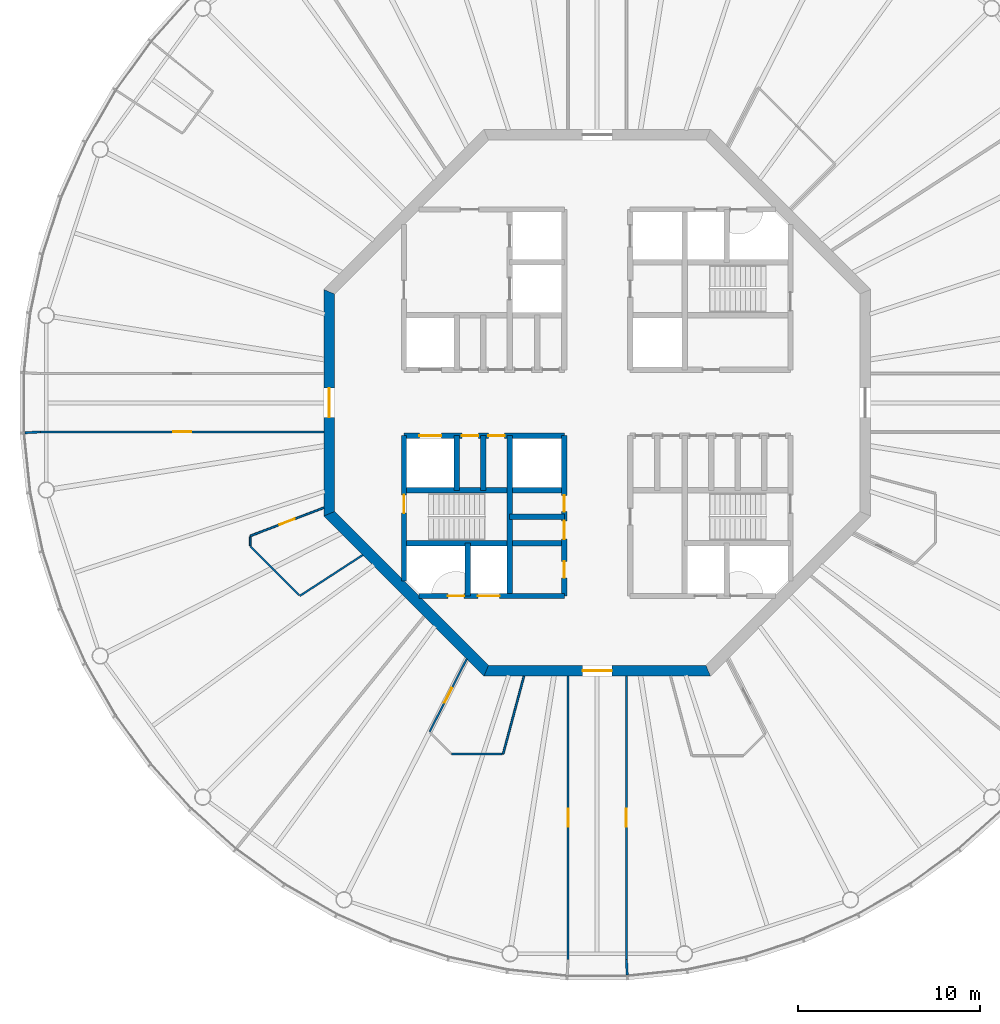
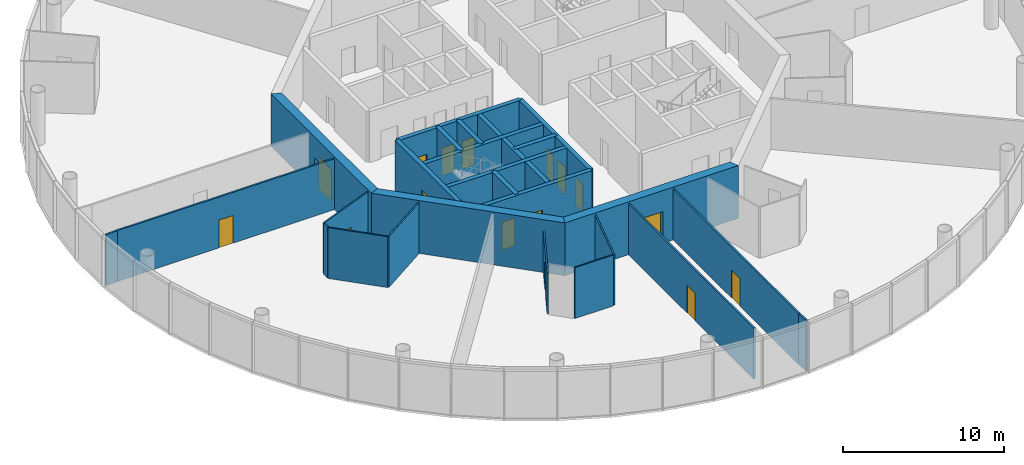
# One storey, part 3 of 13: 26 walls, 16 doors, 16 openings.
"""IFC4 building model written with IfcOpenShell, lengths in metres."""

from ifc_helpers import new_model, si_unit, direction, frame, frame_2d, origin, place, context, subcontext, project, spatial, polyline, rectangle, outline, extrude, material, layer, layer_set, type_object, element, fill, save


model = new_model("IFC4")

# Units and contexts
model_context = context("Model", 3, precision=1e-05, world=origin(), true_north=direction((0.0, 1.0)))
body_context = subcontext(model_context, "Body", "Model", "MODEL_VIEW")
ifc_project = project(units=[si_unit("LENGTHUNIT", "METRE"), si_unit("AREAUNIT", "SQUARE_METRE"), si_unit("VOLUMEUNIT", "CUBIC_METRE"), si_unit("PLANEANGLEUNIT", "RADIAN"), si_unit("MASSUNIT", "GRAM", prefix="KILO")], contexts=[model_context])

# Site, building, storey
site_placement = place(None, origin())
site = spatial("IfcSite", under=ifc_project, at=site_placement, CompositionType="ELEMENT")
building_placement = place(site_placement, origin())
building = spatial("IfcBuilding", under=site, at=building_placement, Name="Entoto Ring Tower", CompositionType="ELEMENT")
storey_placement = place(building_placement, frame((0.0, 0.0, 364.0)))
storey = spatial("IfcBuildingStorey", under=building, at=storey_placement, Name="L84", CompositionType="ELEMENT", Elevation=364.0)

# Wall, openings, doors
ifc_material_1 = material(Name="Concrete C40/50", Category="concrete")
ifc_layer_1 = layer(ifc_material_1, 0.300048828125)
ifc_layer_set_1 = layer_set([ifc_layer_1], Name="Concrete C40/50")
wall_type_1 = type_object("IfcWallType", Name="Core enclosure wall 300 mm reinforced concrete", PredefinedType="SOLIDWALL", material=ifc_layer_set_1)
wall_1_placement = place(storey_placement, frame((88.199951171875, 69.39990234375, 0.0), z_axis=(0.0, 0.0, 1.0), x_axis=(0.0, 1.0, 0.0)))
wall_1 = element("IfcWall", 1, at=wall_1_placement, inside=storey, type_object=wall_type_1, Name="wall-L84-013", PredefinedType="SOLIDWALL", context=body_context, shape_type="SweptSolid", body=[
    extrude(rectangle(XDim=8.800048828125, YDim=0.300048828125, at=frame_2d((4.39990234375, 0.0))), origin(), (0.0, 0.0, 1.0), 3.85009765625),
])
opening_1_placement = place(wall_1_placement, frame((3.125, 0.0, 0.0)))
opening_1 = element("IfcOpeningElement", 2, at=opening_1_placement, cuts=wall_1, Name="Opening K-70", PredefinedType="OPENING", context=body_context, shape_type="SweptSolid", body=[
    extrude(rectangle(XDim=1.0, YDim=2.10009765625, at=frame_2d((0.5, 1.050048828125))), frame((0.0, 0.16015625, 0.0), z_axis=(0.0, -1.0, 0.0), x_axis=(1.0, 0.0, 0.0)), (0.0, 0.0, 1.0), 0.320068359375),
])
opening_2_placement = place(wall_1_placement, frame((4.625, 0.0, 0.0)))
opening_2 = element("IfcOpeningElement", 3, at=opening_2_placement, cuts=wall_1, Name="Opening K-71", PredefinedType="OPENING", context=body_context, shape_type="SweptSolid", body=[
    extrude(rectangle(XDim=0.89990234375, YDim=2.10009765625, at=frame_2d((0.449951171875, 1.050048828125))), frame((0.0, 0.16015625, 0.0), z_axis=(0.0, -1.0, 0.0), x_axis=(1.0, 0.0, 0.0)), (0.0, 0.0, 1.0), 0.320068359375),
])
opening_3_placement = place(wall_1_placement, frame((1.0, 0.0, 0.0)))
opening_3 = element("IfcOpeningElement", 4, at=opening_3_placement, cuts=wall_1, Name="Opening K-24", PredefinedType="OPENING", context=body_context, shape_type="SweptSolid", body=[
    extrude(rectangle(XDim=0.89990234375, YDim=2.10009765625, at=frame_2d((0.449951171875, 1.050048828125))), frame((0.0, 0.16015625, 0.0), z_axis=(0.0, -1.0, 0.0), x_axis=(1.0, 0.0, 0.0)), (0.0, 0.0, 1.0), 0.320068359375),
])
ifc_material_2 = material(Name="Steel door leaf, fire rated", Category="steel")
ifc_layer_2 = layer(ifc_material_2, 0.050048828125)
ifc_layer_set_2 = layer_set([ifc_layer_2], Name="Steel door leaf, fire rated")
door_type_1 = type_object("IfcDoorType", Name="Accessible door 1000 x 2100 single leaf", OperationType="NOTDEFINED", PredefinedType="DOOR", material=ifc_layer_set_2)
door_1_placement = place(opening_1_placement, origin())
door_1 = element("IfcDoor", 5, at=door_1_placement, inside=storey, type_object=door_type_1, Name="Door K-70", OperationType="SINGLE_SWING_RIGHT", OverallHeight=2.10009765625, OverallWidth=1.0, PredefinedType="DOOR", context=body_context, shape_type="SweptSolid", body=[
    extrude(rectangle(XDim=1.0, YDim=2.10009765625, at=frame_2d((0.5, 1.050048828125))), frame((0.0, 0.02490234375, 0.0), z_axis=(0.0, -1.0, 0.0), x_axis=(1.0, 0.0, 0.0)), (0.0, 0.0, 1.0), 0.050048828125),
])
fill(opening_1, door_1)
ifc_material_3 = material(Name="Steel door leaf, fire rated", Category="steel")
ifc_layer_3 = layer(ifc_material_3, 0.050048828125)
ifc_layer_set_3 = layer_set([ifc_layer_3], Name="Steel door leaf, fire rated")
door_type_2 = type_object("IfcDoorType", Name="Core door 900 x 2100 single leaf", OperationType="NOTDEFINED", PredefinedType="DOOR", material=ifc_layer_set_3)
door_2_placement = place(opening_2_placement, origin())
door_2 = element("IfcDoor", 6, at=door_2_placement, inside=storey, type_object=door_type_2, Name="Door K-71", OperationType="SINGLE_SWING_RIGHT", OverallHeight=2.10009765625, OverallWidth=0.89990234375, PredefinedType="DOOR", context=body_context, shape_type="SweptSolid", body=[
    extrude(rectangle(XDim=0.89990234375, YDim=2.10009765625, at=frame_2d((0.449951171875, 1.050048828125))), frame((0.0, 0.02490234375, 0.0), z_axis=(0.0, -1.0, 0.0), x_axis=(1.0, 0.0, 0.0)), (0.0, 0.0, 1.0), 0.050048828125),
])
fill(opening_2, door_2)
door_3_placement = place(opening_3_placement, origin())
door_3 = element("IfcDoor", 7, at=door_3_placement, inside=storey, type_object=door_type_2, Name="Door K-24", OperationType="SINGLE_SWING_RIGHT", OverallHeight=2.10009765625, OverallWidth=0.89990234375, PredefinedType="DOOR", context=body_context, shape_type="SweptSolid", body=[
    extrude(rectangle(XDim=0.89990234375, YDim=2.10009765625, at=frame_2d((0.449951171875, 1.050048828125))), frame((0.0, 0.02490234375, 0.0), z_axis=(0.0, -1.0, 0.0), x_axis=(1.0, 0.0, 0.0)), (0.0, 0.0, 1.0), 0.050048828125),
])
fill(opening_3, door_3)

# Walls
wall_2_placement = place(storey_placement, frame((85.199951171875, 69.39990234375, 0.0), z_axis=(0.0, 0.0, 1.0), x_axis=(0.0, 1.0, 0.0)))
element("IfcWall", 8, at=wall_2_placement, inside=storey, type_object=wall_type_1, Name="wall-L84-016", PredefinedType="SOLIDWALL", context=body_context, shape_type="SweptSolid", body=[
    extrude(rectangle(XDim=8.800048828125, YDim=0.300048828125, at=frame_2d((4.39990234375, 0.0))), origin(), (0.0, 0.0, 1.0), 3.85009765625),
])
wall_3_placement = place(storey_placement, frame((83.75, 75.199951171875, 0.0), z_axis=(0.0, 0.0, 1.0), x_axis=(0.0, 1.0, 0.0)))
element("IfcWall", 9, at=wall_3_placement, inside=storey, type_object=wall_type_1, Name="wall-L84-018", PredefinedType="SOLIDWALL", context=body_context, shape_type="SweptSolid", body=[
    extrude(rectangle(XDim=3.0, YDim=0.300048828125, at=frame_2d((1.5, 0.0))), origin(), (0.0, 0.0, 1.0), 3.85009765625),
])
wall_4_placement = place(storey_placement, frame((82.89990234375, 69.39990234375, 0.0), z_axis=(0.0, 0.0, 1.0), x_axis=(0.0, 1.0, 0.0)))
element("IfcWall", 10, at=wall_4_placement, inside=storey, type_object=wall_type_1, Name="wall-L84-020", PredefinedType="SOLIDWALL", context=body_context, shape_type="SweptSolid", body=[
    extrude(rectangle(XDim=2.900146484375, YDim=0.300048828125, at=frame_2d((1.4501953125, 0.0))), origin(), (0.0, 0.0, 1.0), 3.85009765625),
])
wall_5_placement = place(storey_placement, frame((82.300048828125, 75.199951171875, 0.0), z_axis=(0.0, 0.0, 1.0), x_axis=(0.0, 1.0, 0.0)))
element("IfcWall", 11, at=wall_5_placement, inside=storey, type_object=wall_type_1, Name="wall-L84-021", PredefinedType="SOLIDWALL", context=body_context, shape_type="SweptSolid", body=[
    extrude(rectangle(XDim=3.0, YDim=0.300048828125, at=frame_2d((1.5, 0.0))), origin(), (0.0, 0.0, 1.0), 3.85009765625),
])

# Wall, opening, door
wall_6_placement = place(storey_placement, frame((79.39990234375, 70.2353515625, 0.0), z_axis=(0.0, 0.0, 1.0), x_axis=(0.0, 1.0, 0.0)))
wall_6 = element("IfcWall", 12, at=wall_6_placement, inside=storey, type_object=wall_type_1, Name="wall-L84-023", PredefinedType="SOLIDWALL", context=body_context, shape_type="SweptSolid", body=[
    extrude(rectangle(XDim=7.964599609375, YDim=0.300048828125, at=frame_2d((3.982421875, 0.0))), origin(), (0.0, 0.0, 1.0), 3.85009765625),
])
opening_4_placement = place(wall_6_placement, frame((3.714599609375, 0.0, 0.0)))
opening_4 = element("IfcOpeningElement", 13, at=opening_4_placement, cuts=wall_6, Name="Opening K-30", PredefinedType="OPENING", context=body_context, shape_type="SweptSolid", body=[
    extrude(rectangle(XDim=1.0, YDim=2.10009765625, at=frame_2d((0.5, 1.050048828125))), frame((0.0, 0.16015625, 0.0), z_axis=(0.0, -1.0, 0.0), x_axis=(1.0, 0.0, 0.0)), (0.0, 0.0, 1.0), 0.320068359375),
])
ifc_material_4 = material(Name="Steel door leaf, fire rated", Category="steel")
ifc_layer_4 = layer(ifc_material_4, 0.050048828125)
ifc_layer_set_4 = layer_set([ifc_layer_4], Name="Steel door leaf, fire rated")
door_type_3 = type_object("IfcDoorType", Name="Fire door FD60 1000 x 2100 single leaf", OperationType="NOTDEFINED", PredefinedType="DOOR", material=ifc_layer_set_4)
door_4_placement = place(opening_4_placement, frame((1.0, 0.0, 0.0), z_axis=(0.0, 0.0, 1.0), x_axis=(-1.0, 0.0, 0.0)))
door_4 = element("IfcDoor", 14, at=door_4_placement, inside=storey, type_object=door_type_3, Name="Door K-30", OperationType="SINGLE_SWING_LEFT", OverallHeight=2.10009765625, OverallWidth=1.0, PredefinedType="DOOR", context=body_context, shape_type="SweptSolid", body=[
    extrude(rectangle(XDim=1.0, YDim=2.10009765625, at=frame_2d((0.5, 1.050048828125))), frame((0.0, 0.02490234375, 0.0), z_axis=(0.0, -1.0, 0.0), x_axis=(1.0, 0.0, 0.0)), (0.0, 0.0, 1.0), 0.050048828125),
])
fill(opening_4, door_4)

# Wall, openings, doors
wall_7_placement = place(storey_placement, frame((80.2353515625, 69.39990234375, 0.0), z_axis=(0.0, 0.0, 1.0), x_axis=(1.0, 0.0, 0.0)))
wall_7 = element("IfcWall", 15, at=wall_7_placement, inside=storey, type_object=wall_type_1, Name="wall-L84-025", PredefinedType="SOLIDWALL", context=body_context, shape_type="SweptSolid", body=[
    extrude(rectangle(XDim=7.964599609375, YDim=0.300048828125, at=frame_2d((3.982421875, 0.0))), origin(), (0.0, 0.0, 1.0), 3.85009765625),
])
opening_5_placement = place(wall_7_placement, frame((3.214599609375, 0.0, 0.0)))
opening_5 = element("IfcOpeningElement", 16, at=opening_5_placement, cuts=wall_7, Name="Opening LD", PredefinedType="OPENING", context=body_context, shape_type="SweptSolid", body=[
    extrude(rectangle(XDim=1.199951171875, YDim=2.10009765625, at=frame_2d((0.60009765625, 1.050048828125))), frame((0.0, 0.16015625, 0.0), z_axis=(0.0, -1.0, 0.0), x_axis=(1.0, 0.0, 0.0)), (0.0, 0.0, 1.0), 0.320068359375),
])
opening_6_placement = place(wall_7_placement, frame((1.564697265625, 0.0, 0.0)))
opening_6 = element("IfcOpeningElement", 17, at=opening_6_placement, cuts=wall_7, Name="Opening K-33", PredefinedType="OPENING", context=body_context, shape_type="SweptSolid", body=[
    extrude(rectangle(XDim=0.89990234375, YDim=2.10009765625, at=frame_2d((0.449951171875, 1.050048828125))), frame((0.0, 0.16015625, 0.0), z_axis=(0.0, -1.0, 0.0), x_axis=(1.0, 0.0, 0.0)), (0.0, 0.0, 1.0), 0.320068359375),
])
ifc_material_5 = material(Name="Steel and glass door leaf", Category="steel")
ifc_layer_5 = layer(ifc_material_5, 0.050048828125)
ifc_layer_set_5 = layer_set([ifc_layer_5], Name="Steel and glass door leaf")
door_type_4 = type_object("IfcDoorType", Name="Landing door 1200 x 2100 sliding", OperationType="DOUBLE_DOOR_SLIDING", PredefinedType="DOOR", material=ifc_layer_set_5)
door_5_placement = place(opening_5_placement, origin())
door_5 = element("IfcDoor", 18, at=door_5_placement, inside=storey, type_object=door_type_4, Name="Landing door LB3-HR", OperationType="SLIDING_TO_RIGHT", OverallHeight=2.10009765625, OverallWidth=1.199951171875, PredefinedType="DOOR", context=body_context, shape_type="SweptSolid", body=[
    extrude(rectangle(XDim=1.199951171875, YDim=2.10009765625, at=frame_2d((0.60009765625, 1.050048828125))), frame((0.0, 0.02490234375, 0.0), z_axis=(0.0, -1.0, 0.0), x_axis=(1.0, 0.0, 0.0)), (0.0, 0.0, 1.0), 0.050048828125),
])
fill(opening_5, door_5)
ifc_material_6 = material(Name="Steel door leaf, fire rated", Category="steel")
ifc_layer_6 = layer(ifc_material_6, 0.050048828125)
ifc_layer_set_6 = layer_set([ifc_layer_6], Name="Steel door leaf, fire rated")
door_type_5 = type_object("IfcDoorType", Name="Riser door FD60 900 x 2100 single leaf", OperationType="NOTDEFINED", PredefinedType="DOOR", material=ifc_layer_set_6)
door_6_placement = place(opening_6_placement, origin())
door_6 = element("IfcDoor", 19, at=door_6_placement, inside=storey, type_object=door_type_5, Name="Door K-33", OperationType="SINGLE_SWING_RIGHT", OverallHeight=2.10009765625, OverallWidth=0.89990234375, PredefinedType="DOOR", context=body_context, shape_type="SweptSolid", body=[
    extrude(rectangle(XDim=0.89990234375, YDim=2.10009765625, at=frame_2d((0.449951171875, 1.050048828125))), frame((0.0, 0.02490234375, 0.0), z_axis=(0.0, -1.0, 0.0), x_axis=(1.0, 0.0, 0.0)), (0.0, 0.0, 1.0), 0.050048828125),
])
fill(opening_6, door_6)

# Walls
wall_8_placement = place(storey_placement, frame((79.39990234375, 72.300048828125, 0.0), z_axis=(0.0, 0.0, 1.0), x_axis=(1.0, 0.0, 0.0)))
element("IfcWall", 20, at=wall_8_placement, inside=storey, type_object=wall_type_1, Name="wall-L84-027", PredefinedType="SOLIDWALL", context=body_context, shape_type="SweptSolid", body=[
    extrude(rectangle(XDim=8.800048828125, YDim=0.300048828125, at=frame_2d((4.39990234375, 0.0))), origin(), (0.0, 0.0, 1.0), 3.85009765625),
])
wall_9_placement = place(storey_placement, frame((85.199951171875, 73.75, 0.0), z_axis=(0.0, 0.0, 1.0), x_axis=(1.0, 0.0, 0.0)))
element("IfcWall", 21, at=wall_9_placement, inside=storey, type_object=wall_type_1, Name="wall-L84-029", PredefinedType="SOLIDWALL", context=body_context, shape_type="SweptSolid", body=[
    extrude(rectangle(XDim=3.0, YDim=0.300048828125, at=frame_2d((1.5, 0.0))), origin(), (0.0, 0.0, 1.0), 3.85009765625),
])
wall_10_placement = place(storey_placement, frame((79.39990234375, 75.199951171875, 0.0), z_axis=(0.0, 0.0, 1.0), x_axis=(1.0, 0.0, 0.0)))
element("IfcWall", 22, at=wall_10_placement, inside=storey, type_object=wall_type_1, Name="wall-L84-030", PredefinedType="SOLIDWALL", context=body_context, shape_type="SweptSolid", body=[
    extrude(rectangle(XDim=8.800048828125, YDim=0.300048828125, at=frame_2d((4.39990234375, 0.0))), origin(), (0.0, 0.0, 1.0), 3.85009765625),
])

# Wall, openings, doors
wall_11_placement = place(storey_placement, frame((79.39990234375, 78.199951171875, 0.0), z_axis=(0.0, 0.0, 1.0), x_axis=(1.0, 0.0, 0.0)))
wall_11 = element("IfcWall", 23, at=wall_11_placement, inside=storey, type_object=wall_type_1, Name="wall-L84-032", PredefinedType="SOLIDWALL", context=body_context, shape_type="SweptSolid", body=[
    extrude(rectangle(XDim=8.800048828125, YDim=0.300048828125, at=frame_2d((4.39990234375, 0.0))), origin(), (0.0, 0.0, 1.0), 3.85009765625),
])
opening_7_placement = place(wall_11_placement, frame((0.85009765625, 0.0, 0.0)))
opening_7 = element("IfcOpeningElement", 24, at=opening_7_placement, cuts=wall_11, Name="Opening LD", PredefinedType="OPENING", context=body_context, shape_type="SweptSolid", body=[
    extrude(rectangle(XDim=1.199951171875, YDim=2.10009765625, at=frame_2d((0.60009765625, 1.050048828125))), frame((0.0, 0.16015625, 0.0), z_axis=(0.0, -1.0, 0.0), x_axis=(1.0, 0.0, 0.0)), (0.0, 0.0, 1.0), 0.320068359375),
])
opening_8_placement = place(wall_11_placement, frame((3.175048828125, 0.0, 0.0)))
opening_8 = element("IfcOpeningElement", 25, at=opening_8_placement, cuts=wall_11, Name="Opening K-18", PredefinedType="OPENING", context=body_context, shape_type="SweptSolid", body=[
    extrude(rectangle(XDim=0.89990234375, YDim=2.10009765625, at=frame_2d((0.449951171875, 1.050048828125))), frame((0.0, 0.16015625, 0.0), z_axis=(0.0, -1.0, 0.0), x_axis=(1.0, 0.0, 0.0)), (0.0, 0.0, 1.0), 0.320068359375),
])
opening_9_placement = place(wall_11_placement, frame((4.625, 0.0, 0.0)))
opening_9 = element("IfcOpeningElement", 26, at=opening_9_placement, cuts=wall_11, Name="Opening K-19", PredefinedType="OPENING", context=body_context, shape_type="SweptSolid", body=[
    extrude(rectangle(XDim=0.89990234375, YDim=2.10009765625, at=frame_2d((0.449951171875, 1.050048828125))), frame((0.0, 0.16015625, 0.0), z_axis=(0.0, -1.0, 0.0), x_axis=(1.0, 0.0, 0.0)), (0.0, 0.0, 1.0), 0.320068359375),
])
door_7_placement = place(opening_8_placement, frame((0.89990234375, 0.0, 0.0), z_axis=(0.0, 0.0, 1.0), x_axis=(-1.0, 0.0, 0.0)))
door_7 = element("IfcDoor", 27, at=door_7_placement, inside=storey, type_object=door_type_2, Name="Door K-18", OperationType="SINGLE_SWING_LEFT", OverallHeight=2.10009765625, OverallWidth=0.89990234375, PredefinedType="DOOR", context=body_context, shape_type="SweptSolid", body=[
    extrude(rectangle(XDim=0.89990234375, YDim=2.10009765625, at=frame_2d((0.449951171875, 1.050048828125))), frame((0.0, 0.02490234375, 0.0), z_axis=(0.0, -1.0, 0.0), x_axis=(1.0, 0.0, 0.0)), (0.0, 0.0, 1.0), 0.050048828125),
])
fill(opening_8, door_7)
door_8_placement = place(opening_9_placement, frame((0.89990234375, 0.0, 0.0), z_axis=(0.0, 0.0, 1.0), x_axis=(-1.0, 0.0, 0.0)))
door_8 = element("IfcDoor", 28, at=door_8_placement, inside=storey, type_object=door_type_2, Name="Door K-19", OperationType="SINGLE_SWING_LEFT", OverallHeight=2.10009765625, OverallWidth=0.89990234375, PredefinedType="DOOR", context=body_context, shape_type="SweptSolid", body=[
    extrude(rectangle(XDim=0.89990234375, YDim=2.10009765625, at=frame_2d((0.449951171875, 1.050048828125))), frame((0.0, 0.02490234375, 0.0), z_axis=(0.0, -1.0, 0.0), x_axis=(1.0, 0.0, 0.0)), (0.0, 0.0, 1.0), 0.050048828125),
])
fill(opening_9, door_8)
door_9_placement = place(opening_7_placement, origin())
door_9 = element("IfcDoor", 29, at=door_9_placement, inside=storey, type_object=door_type_4, Name="Landing door SH2", OperationType="SLIDING_TO_RIGHT", OverallHeight=2.10009765625, OverallWidth=1.199951171875, PredefinedType="DOOR", context=body_context, shape_type="SweptSolid", body=[
    extrude(rectangle(XDim=1.199951171875, YDim=2.10009765625, at=frame_2d((0.60009765625, 1.050048828125))), frame((0.0, 0.02490234375, 0.0), z_axis=(0.0, -1.0, 0.0), x_axis=(1.0, 0.0, 0.0)), (0.0, 0.0, 1.0), 0.050048828125),
])
fill(opening_7, door_9)

# Wall, opening, door
ifc_material_7 = material(Name="Concrete C40/50", Category="concrete")
ifc_layer_7 = layer(ifc_material_7, 0.60009765625)
ifc_layer_set_7 = layer_set([ifc_layer_7], Name="Concrete C40/50")
wall_type_2 = type_object("IfcWallType", Name="Core shear wall 600 mm reinforced concrete C40/50", PredefinedType="SHEAR", material=ifc_layer_set_7)
wall_12_placement = place(storey_placement, frame((75.300048828125, 86.0888671875, 0.0), z_axis=(0.0, 0.0, 1.0), x_axis=(0.0, -1.0, 0.0)))
wall_12 = element("IfcWall", 30, at=wall_12_placement, inside=storey, type_object=wall_type_2, Name="wall-L84-core-4", PredefinedType="SHEAR", context=body_context, shape_type="SweptSolid", body=[
    extrude(outline(polyline([(-0.124267578125, -0.300048828125), (12.302001953125, -0.300048828125), (12.053466796875, 0.300048828125), (0.124267578125, 0.300048828125), (-0.124267578125, -0.300048828125)])), origin(), (0.0, 0.0, 1.0), 4.0),
])
opening_10_placement = place(wall_12_placement, frame((5.288818359375, 0.0, 0.0)))
opening_10 = element("IfcOpeningElement", 31, at=opening_10_placement, cuts=wall_12, Name="Opening K-03", PredefinedType="OPENING", context=body_context, shape_type="SweptSolid", body=[
    extrude(rectangle(XDim=1.60009765625, YDim=2.39990234375, at=frame_2d((0.800048828125, 1.199951171875))), frame((0.0, 0.31005859375, 0.0), z_axis=(0.0, -1.0, 0.0), x_axis=(1.0, 0.0, 0.0)), (0.0, 0.0, 1.0), 0.6201171875),
])
ifc_material_8 = material(Name="Steel door leaf, fire rated", Category="steel")
ifc_layer_8 = layer(ifc_material_8, 0.050048828125)
ifc_layer_set_8 = layer_set([ifc_layer_8], Name="Steel door leaf, fire rated")
door_type_6 = type_object("IfcDoorType", Name="Entrance door FD60 1600 x 2400 double leaf", OperationType="DOUBLE_DOOR_SINGLE_SWING", PredefinedType="DOOR", material=ifc_layer_set_8)
door_10_placement = place(opening_10_placement, origin())
door_10 = element("IfcDoor", 32, at=door_10_placement, inside=storey, type_object=door_type_6, Name="Entrance door K-03", OperationType="DOUBLE_DOOR_SINGLE_SWING", OverallHeight=2.39990234375, OverallWidth=1.60009765625, PredefinedType="DOOR", context=body_context, shape_type="SweptSolid", body=[
    extrude(rectangle(XDim=1.60009765625, YDim=2.39990234375, at=frame_2d((0.800048828125, 1.199951171875))), frame((0.0, 0.02490234375, 0.0), z_axis=(0.0, -1.0, 0.0), x_axis=(1.0, 0.0, 0.0)), (0.0, 0.0, 1.0), 0.050048828125),
])
fill(opening_10, door_10)

# Wall
wall_13_placement = place(storey_placement, frame((75.300048828125, 73.9111328125, 0.0), z_axis=(0.0, 0.0, 1.0), x_axis=(0.707106781187, -0.707106781187, 0.0)))
element("IfcWall", 33, at=wall_13_placement, inside=storey, type_object=wall_type_2, Name="wall-L84-core-5", PredefinedType="SHEAR", context=body_context, shape_type="SweptSolid", body=[
    extrude(outline(polyline([(-0.124267578125, -0.300048828125), (12.30224609375, -0.300048828125), (12.0537109375, 0.300048828125), (0.124267578125, 0.300048828125), (-0.124267578125, -0.300048828125)])), origin(), (0.0, 0.0, 1.0), 4.0),
])

# Wall, opening, door
wall_14_placement = place(storey_placement, frame((83.9111328125, 65.300048828125, 0.0), z_axis=(0.0, 0.0, 1.0), x_axis=(1.0, 0.0, 0.0)))
wall_14 = element("IfcWall", 34, at=wall_14_placement, inside=storey, type_object=wall_type_2, Name="wall-L84-core-6", PredefinedType="SHEAR", context=body_context, shape_type="SweptSolid", body=[
    extrude(outline(polyline([(-0.124267578125, -0.300048828125), (12.302001953125, -0.300048828125), (12.053466796875, 0.300048828125), (0.124267578125, 0.300048828125), (-0.124267578125, -0.300048828125)])), origin(), (0.0, 0.0, 1.0), 4.0),
])
opening_11_placement = place(wall_14_placement, frame((5.288818359375, 0.0, 0.0)))
opening_11 = element("IfcOpeningElement", 35, at=opening_11_placement, cuts=wall_14, Name="Opening K-04", PredefinedType="OPENING", context=body_context, shape_type="SweptSolid", body=[
    extrude(rectangle(XDim=1.60009765625, YDim=2.39990234375, at=frame_2d((0.800048828125, 1.199951171875))), frame((0.0, 0.31005859375, 0.0), z_axis=(0.0, -1.0, 0.0), x_axis=(1.0, 0.0, 0.0)), (0.0, 0.0, 1.0), 0.6201171875),
])
door_11_placement = place(opening_11_placement, origin())
door_11 = element("IfcDoor", 36, at=door_11_placement, inside=storey, type_object=door_type_6, Name="Entrance door K-04", OperationType="DOUBLE_DOOR_SINGLE_SWING", OverallHeight=2.39990234375, OverallWidth=1.60009765625, PredefinedType="DOOR", context=body_context, shape_type="SweptSolid", body=[
    extrude(rectangle(XDim=1.60009765625, YDim=2.39990234375, at=frame_2d((0.800048828125, 1.199951171875))), frame((0.0, 0.02490234375, 0.0), z_axis=(0.0, -1.0, 0.0), x_axis=(1.0, 0.0, 0.0)), (0.0, 0.0, 1.0), 0.050048828125),
])
fill(opening_11, door_11)

ifc_material_9 = material(Name="Fire-resisting plasterboard on steel studs", Category="steel")
ifc_layer_9 = layer(ifc_material_9, 0.125)
ifc_layer_set_9 = layer_set([ifc_layer_9], Name="Fire-resisting plasterboard on steel studs")
wall_type_3 = type_object("IfcWallType", Name="Corridor wall 125 mm one-hour plasterboard on steel studs", PredefinedType="PARTITIONING", material=ifc_layer_set_9)
wall_15_placement = place(storey_placement, frame((59.47021484375, 78.39990234375, 0.0), z_axis=(0.0, 0.0, 1.0), x_axis=(1.0, 0.0, 0.0)))
wall_15 = element("IfcWall", 37, at=wall_15_placement, inside=storey, type_object=wall_type_3, Name="partition-L84-001", PredefinedType="PARTITIONING", context=body_context, shape_type="SweptSolid", body=[
    extrude(rectangle(XDim=15.52978515625, YDim=0.125, at=frame_2d((7.764892578125, 0.0))), origin(), (0.0, 0.0, 1.0), 3.85009765625),
])
opening_12_placement = place(wall_15_placement, frame((7.264892578125, 0.0, 0.0)))
opening_12 = element("IfcOpeningElement", 38, at=opening_12_placement, cuts=wall_15, Name="Opening A36-D07", PredefinedType="OPENING", context=body_context, shape_type="SweptSolid", body=[
    extrude(rectangle(XDim=1.0, YDim=2.10009765625, at=frame_2d((0.5, 1.050048828125))), frame((0.0, 0.072509765625, 0.0), z_axis=(0.0, -1.0, 0.0), x_axis=(1.0, 0.0, 0.0)), (0.0, 0.0, 1.0), 0.14501953125),
])
ifc_material_10 = material(Name="Fire-resisting timber door set", Category="wood")
door_type_7 = type_object("IfcDoorType", Name="Door 1000 x 2100 single leaf FD30S fire door", OperationType="NOTDEFINED", PredefinedType="DOOR", material=ifc_material_10)
door_12_placement = place(opening_12_placement, frame((1.0, 0.0, 0.0), z_axis=(0.0, 0.0, 1.0), x_axis=(-1.0, 0.0, 0.0)))
door_12 = element("IfcDoor", 39, at=door_12_placement, inside=storey, type_object=door_type_7, Name="Door A36-D07", OperationType="SINGLE_SWING_LEFT", OverallHeight=2.10009765625, OverallWidth=1.0, PredefinedType="DOOR", context=body_context, shape_type="SweptSolid", body=[
    extrude(rectangle(XDim=1.0, YDim=2.10009765625, at=frame_2d((0.5, 1.050048828125))), frame((0.0, 0.02490234375, 0.0), z_axis=(0.0, -1.0, 0.0), x_axis=(1.0, 0.0, 0.0)), (0.0, 0.0, 1.0), 0.050048828125),
])
fill(opening_12, door_12)

wall_16_placement = place(storey_placement, frame((88.39990234375, 49.47021484375, 0.0), z_axis=(0.0, 0.0, 1.0), x_axis=(0.0, 1.0, 0.0)))
wall_16 = element("IfcWall", 40, at=wall_16_placement, inside=storey, type_object=wall_type_3, Name="partition-L84-003", PredefinedType="PARTITIONING", context=body_context, shape_type="SweptSolid", body=[
    extrude(rectangle(XDim=15.52978515625, YDim=0.125, at=frame_2d((7.764892578125, 0.0))), origin(), (0.0, 0.0, 1.0), 3.85009765625),
])
opening_13_placement = place(wall_16_placement, frame((7.264892578125, 0.0, 0.0)))
opening_13 = element("IfcOpeningElement", 41, at=opening_13_placement, cuts=wall_16, Name="Opening A36-D09", PredefinedType="OPENING", context=body_context, shape_type="SweptSolid", body=[
    extrude(rectangle(XDim=1.0, YDim=2.10009765625, at=frame_2d((0.5, 1.050048828125))), frame((0.0, 0.072509765625, 0.0), z_axis=(0.0, -1.0, 0.0), x_axis=(1.0, 0.0, 0.0)), (0.0, 0.0, 1.0), 0.14501953125),
])
door_13_placement = place(opening_13_placement, origin())
door_13 = element("IfcDoor", 42, at=door_13_placement, inside=storey, type_object=door_type_7, Name="Door A36-D09", OperationType="SINGLE_SWING_RIGHT", OverallHeight=2.10009765625, OverallWidth=1.0, PredefinedType="DOOR", context=body_context, shape_type="SweptSolid", body=[
    extrude(rectangle(XDim=1.0, YDim=2.10009765625, at=frame_2d((0.5, 1.050048828125))), frame((0.0, 0.02490234375, 0.0), z_axis=(0.0, -1.0, 0.0), x_axis=(1.0, 0.0, 0.0)), (0.0, 0.0, 1.0), 0.050048828125),
])
fill(opening_13, door_13)

wall_17_placement = place(storey_placement, frame((91.60009765625, 49.47021484375, 0.0), z_axis=(0.0, 0.0, 1.0), x_axis=(0.0, 1.0, 0.0)))
wall_17 = element("IfcWall", 43, at=wall_17_placement, inside=storey, type_object=wall_type_3, Name="partition-L84-005", PredefinedType="PARTITIONING", context=body_context, shape_type="SweptSolid", body=[
    extrude(rectangle(XDim=15.52978515625, YDim=0.125, at=frame_2d((7.764892578125, 0.0))), origin(), (0.0, 0.0, 1.0), 3.85009765625),
])
opening_14_placement = place(wall_17_placement, frame((7.264892578125, 0.0, 0.0)))
opening_14 = element("IfcOpeningElement", 44, at=opening_14_placement, cuts=wall_17, Name="Opening A36-D11", PredefinedType="OPENING", context=body_context, shape_type="SweptSolid", body=[
    extrude(rectangle(XDim=1.0, YDim=2.10009765625, at=frame_2d((0.5, 1.050048828125))), frame((0.0, 0.072509765625, 0.0), z_axis=(0.0, -1.0, 0.0), x_axis=(1.0, 0.0, 0.0)), (0.0, 0.0, 1.0), 0.14501953125),
])
door_14_placement = place(opening_14_placement, frame((1.0, 0.0, 0.0), z_axis=(0.0, 0.0, 1.0), x_axis=(-1.0, 0.0, 0.0)))
door_14 = element("IfcDoor", 45, at=door_14_placement, inside=storey, type_object=door_type_7, Name="Door A36-D11", OperationType="SINGLE_SWING_LEFT", OverallHeight=2.10009765625, OverallWidth=1.0, PredefinedType="DOOR", context=body_context, shape_type="SweptSolid", body=[
    extrude(rectangle(XDim=1.0, YDim=2.10009765625, at=frame_2d((0.5, 1.050048828125))), frame((0.0, 0.02490234375, 0.0), z_axis=(0.0, -1.0, 0.0), x_axis=(1.0, 0.0, 0.0)), (0.0, 0.0, 1.0), 0.050048828125),
])
fill(opening_14, door_14)

# Walls
for number, where, z_axis, x_axis, name in (
    (46, (58.60302734375, 78.3544921875, 0.0), (0.0, 0.0, 1.0), (0.998620946423, 0.052499574911, 0.0), "partition-L84-009"),
    (47, (91.6455078125, 48.60302734375, 0.0), (0.0, 0.0, 1.0), (-0.052499574911, 0.998620946423, 0.0), "partition-L84-014"),
):
    element("IfcWall", number, at=place(storey_placement, frame(where, z_axis=z_axis, x_axis=x_axis)), inside=storey, type_object=wall_type_3, Name=name, PredefinedType="PARTITIONING", context=body_context, shape_type="SweptSolid", body=[
        extrude(rectangle(XDim=0.864990234375, YDim=0.125, at=frame_2d((0.4326171875, 0.0))), origin(), (0.0, 0.0, 1.0), 3.85009765625),
    ])
ifc_material_11 = material(Name="Plasterboard on steel studs", Category="steel")
ifc_layer_10 = layer(ifc_material_11, 0.10009765625)
ifc_layer_set_10 = layer_set([ifc_layer_10], Name="Plasterboard on steel studs")
wall_type_4 = type_object("IfcWallType", Name="Partition 100 mm plasterboard on steel studs", PredefinedType="PARTITIONING", material=ifc_layer_set_10)
wall_18_placement = place(storey_placement, frame((84.836669921875, 60.72998046875, 0.0), z_axis=(0.0, 0.0, 1.0), x_axis=(0.258796817064, 0.965931782, 0.0)))
element("IfcWall", 48, at=wall_18_placement, inside=storey, type_object=wall_type_4, Name="partition-L84-025", PredefinedType="PARTITIONING", context=body_context, shape_type="SweptSolid", body=[
    extrude(rectangle(XDim=4.420654296875, YDim=0.10009765625, at=frame_2d((2.21044921875, 0.0))), origin(), (0.0, 0.0, 1.0), 3.85009765625),
])

# Wall, opening, door
wall_19_placement = place(storey_placement, frame((70.969970703125, 72.695068359375, 0.0), z_axis=(0.0, 0.0, 1.0), x_axis=(0.933588820565, 0.358346081486, 0.0)))
wall_19 = element("IfcWall", 49, at=wall_19_placement, inside=storey, type_object=wall_type_4, Name="partition-L84-028", PredefinedType="PARTITIONING", context=body_context, shape_type="SweptSolid", body=[
    extrude(rectangle(XDim=4.316650390625, YDim=0.10009765625, at=frame_2d((2.158203125, 0.0))), origin(), (0.0, 0.0, 1.0), 3.85009765625),
])
opening_15_placement = place(wall_19_placement, frame((1.70849609375, 0.0, 0.0)))
opening_15 = element("IfcOpeningElement", 50, at=opening_15_placement, cuts=wall_19, Name="Opening A36-D08", PredefinedType="OPENING", context=body_context, shape_type="SweptSolid", body=[
    extrude(rectangle(XDim=0.89990234375, YDim=2.10009765625, at=frame_2d((0.449951171875, 1.050048828125))), frame((0.0, 0.06005859375, 0.0), z_axis=(0.0, -1.0, 0.0), x_axis=(1.0, 0.0, 0.0)), (0.0, 0.0, 1.0), 0.1201171875),
])
ifc_material_12 = material(Name="Veneered timber door leaf in timber frame", Category="wood")
door_type_8 = type_object("IfcDoorType", Name="Door 900 x 2100 single leaf timber veneer", OperationType="NOTDEFINED", PredefinedType="DOOR", material=ifc_material_12)
door_15_placement = place(opening_15_placement, frame((0.89990234375, 0.0, 0.0), z_axis=(0.0, 0.0, 1.0), x_axis=(-1.0, 0.0, 0.0)))
door_15 = element("IfcDoor", 51, at=door_15_placement, inside=storey, type_object=door_type_8, Name="Door A36-D08", OperationType="SINGLE_SWING_LEFT", OverallHeight=2.10009765625, OverallWidth=0.89990234375, PredefinedType="DOOR", context=body_context, shape_type="SweptSolid", body=[
    extrude(rectangle(XDim=0.89990234375, YDim=2.10009765625, at=frame_2d((0.449951171875, 1.050048828125))), frame((0.0, 0.02490234375, 0.0), z_axis=(0.0, -1.0, 0.0), x_axis=(1.0, 0.0, 0.0)), (0.0, 0.0, 1.0), 0.050048828125),
])
fill(opening_15, door_15)

# Walls
wall_20_placement = place(storey_placement, frame((73.68359375, 69.404052734375, 0.0), z_axis=(0.0, 0.0, 1.0), x_axis=(0.838672345353, 0.544636298038, 0.0)))
element("IfcWall", 52, at=wall_20_placement, inside=storey, type_object=wall_type_4, Name="partition-L84-029", PredefinedType="PARTITIONING", context=body_context, shape_type="SweptSolid", body=[
    extrude(rectangle(XDim=4.119873046875, YDim=0.10009765625, at=frame_2d((2.06005859375, 0.0))), origin(), (0.0, 0.0, 1.0), 3.85009765625),
])
wall_21_placement = place(storey_placement, frame((73.64892578125, 69.4384765625, 0.0), z_axis=(0.0, 0.0, 1.0), x_axis=(-0.707106781187, 0.707106781187, 0.0)))
element("IfcWall", 53, at=wall_21_placement, inside=storey, type_object=wall_type_4, Name="partition-L84-030", PredefinedType="PARTITIONING", context=body_context, shape_type="SweptSolid", body=[
    extrude(rectangle(XDim=3.78857421875, YDim=0.10009765625, at=frame_2d((1.894287109375, 0.0))), origin(), (0.0, 0.0, 1.0), 3.85009765625),
])
wall_22_placement = place(storey_placement, frame((82.01806640625, 60.72998046875, 0.0), z_axis=(0.0, 0.0, 1.0), x_axis=(1.0, 0.0, 0.0)))
element("IfcWall", 54, at=wall_22_placement, inside=storey, type_object=wall_type_4, Name="partition-L84-037", PredefinedType="PARTITIONING", context=body_context, shape_type="SweptSolid", body=[
    extrude(rectangle(XDim=2.770263671875, YDim=0.10009765625, at=frame_2d((1.38525390625, 0.0))), origin(), (0.0, 0.0, 1.0), 3.85009765625),
])
wall_23_placement = place(storey_placement, frame((70.969970703125, 72.152587890625, 0.0), z_axis=(0.0, 0.0, 1.0), x_axis=(0.0, 1.0, 0.0)))
element("IfcWall", 55, at=wall_23_placement, inside=storey, type_object=wall_type_4, Name="partition-L84-042", PredefinedType="PARTITIONING", context=body_context, shape_type="SweptSolid", body=[
    extrude(rectangle(XDim=0.495849609375, YDim=0.10009765625, at=frame_2d((0.248046875, 0.0))), origin(), (0.0, 0.0, 1.0), 3.85009765625),
])

# Wall, opening, door
ifc_material_13 = material(Name="Plasterboard on steel studs", Category="steel")
ifc_layer_11 = layer(ifc_material_13, 0.10009765625)
ifc_layer_set_11 = layer_set([ifc_layer_11], Name="Plasterboard on steel studs")
wall_type_5 = type_object("IfcWallType", Name="Partition 100 mm plasterboard on steel studs, 3097 mm high", PredefinedType="PARTITIONING", material=ifc_layer_set_11)
wall_24_placement = place(storey_placement, frame((80.801513671875, 61.94677734375, 0.0), z_axis=(0.0, 0.0, 1.0), x_axis=(0.453965697672, 0.891019161038, 0.0)))
wall_24 = element("IfcWall", 56, at=wall_24_placement, inside=storey, type_object=wall_type_5, Name="partition-L84-024", PredefinedType="PARTITIONING", context=body_context, shape_type="SweptSolid", body=[
    extrude(rectangle(XDim=4.489501953125, YDim=0.10009765625, at=frame_2d((2.24462890625, 0.0))), origin(), (0.0, 0.0, 1.0), 3.096923828125),
])
opening_16_placement = place(wall_24_placement, frame((1.794921875, 0.0, 0.0)))
opening_16 = element("IfcOpeningElement", 57, at=opening_16_placement, cuts=wall_24, Name="Opening A36-D10", PredefinedType="OPENING", context=body_context, shape_type="SweptSolid", body=[
    extrude(rectangle(XDim=0.89990234375, YDim=2.10009765625, at=frame_2d((0.449951171875, 1.050048828125))), frame((0.0, 0.06005859375, 0.0), z_axis=(0.0, -1.0, 0.0), x_axis=(1.0, 0.0, 0.0)), (0.0, 0.0, 1.0), 0.1201171875),
])
door_16_placement = place(opening_16_placement, frame((0.89990234375, 0.0, 0.0), z_axis=(0.0, 0.0, 1.0), x_axis=(-1.0, 0.0, 0.0)))
door_16 = element("IfcDoor", 58, at=door_16_placement, inside=storey, type_object=door_type_8, Name="Door A36-D10", OperationType="SINGLE_SWING_LEFT", OverallHeight=2.10009765625, OverallWidth=0.89990234375, PredefinedType="DOOR", context=body_context, shape_type="SweptSolid", body=[
    extrude(rectangle(XDim=0.89990234375, YDim=2.10009765625, at=frame_2d((0.449951171875, 1.050048828125))), frame((0.0, 0.02490234375, 0.0), z_axis=(0.0, -1.0, 0.0), x_axis=(1.0, 0.0, 0.0)), (0.0, 0.0, 1.0), 0.050048828125),
])
fill(opening_16, door_16)

save(model, "model.ifc")
